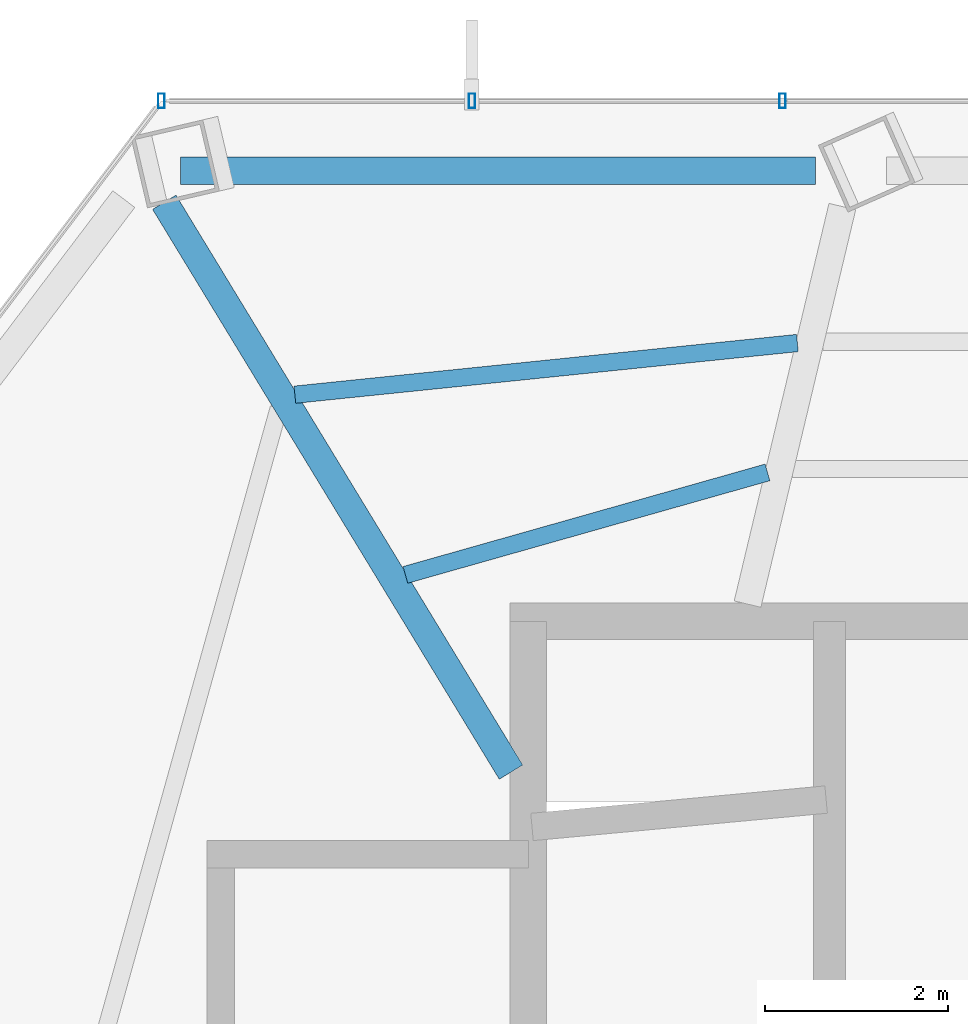
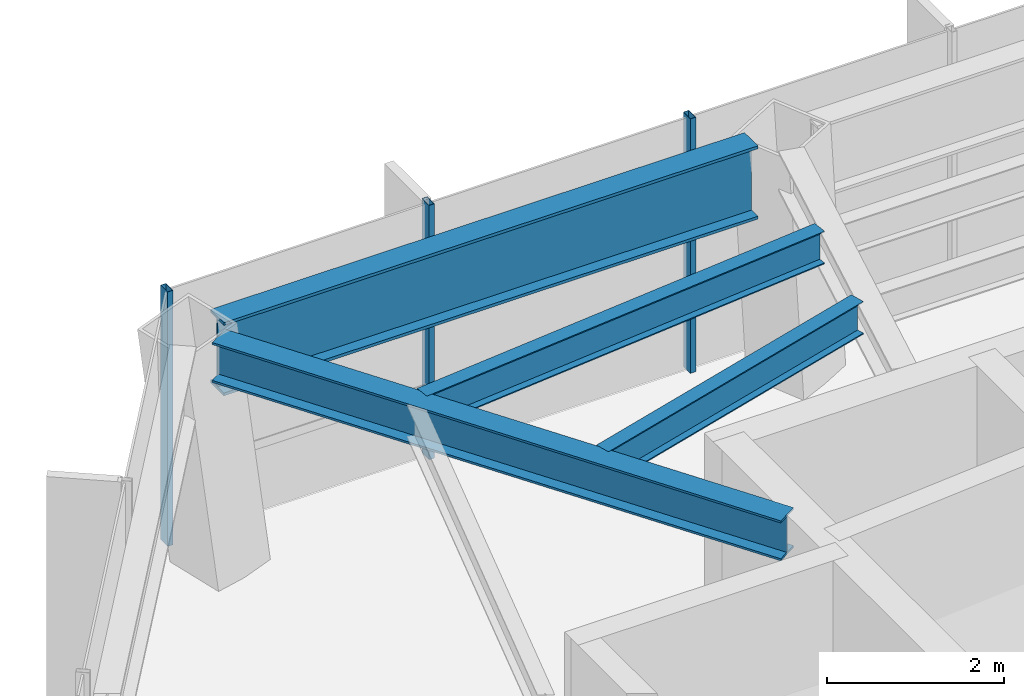
# One storey, part 13 of 29: 4 beams, 3 members, 1 element without a shape of its own.
"""IFC4 building model written with IfcOpenShell, lengths in metres."""

from ifc_helpers import new_model, si_unit, direction, frame, origin, origin_2d, place, context, subcontext, project, spatial, hollow_rectangle, i_section, extrude, material, layer, layer_set, material_profile, profile_set, type_object, element, aggregate, save


model = new_model("IFC4")

# Units and contexts
model_context = context("Model", 3, precision=1e-05, world=origin(), true_north=direction((0.0, 1.0)))
body_context = subcontext(model_context, "Body", "Model", "MODEL_VIEW")
ifc_project = project(units=[si_unit("LENGTHUNIT", "METRE"), si_unit("AREAUNIT", "SQUARE_METRE"), si_unit("VOLUMEUNIT", "CUBIC_METRE"), si_unit("PLANEANGLEUNIT", "RADIAN"), si_unit("MASSUNIT", "GRAM", prefix="KILO")], contexts=[model_context])

# Site, building, storey
site_placement = place(None, origin())
site = spatial("IfcSite", under=ifc_project, at=site_placement, CompositionType="ELEMENT")
building_placement = place(site_placement, origin())
building = spatial("IfcBuilding", under=site, at=building_placement, Name="Zarrinselat Tower", CompositionType="ELEMENT")
storey_placement = place(building_placement, frame((0.0, 0.0, 142.1201171875)))
storey = spatial("IfcBuildingStorey", under=building, at=storey_placement, Name="L34", CompositionType="ELEMENT", Elevation=142.1201171875)

# Beams
ifc_material_1 = material(Name="Steel S355J2", Category="steel")
ifc_material_profile_1 = material_profile(ifc_material_1, i_section(OverallWidth=0.300048828125, OverallDepth=0.550048828125, WebThickness=0.014892578125, FlangeThickness=0.029052734375, at=origin_2d()), Name="HEB 550")
ifc_profile_set_1 = profile_set([ifc_material_profile_1], Name="Steel S355J2")
beam_type_1 = type_object("IfcBeamType", Name="BM-HEB550", PredefinedType="BEAM", material=ifc_profile_set_1)
beam_1_placement = place(storey_placement, frame((24.61376953125, 48.039794921875, 3.224853515625), z_axis=(0.519750753413, -0.85431794686, 0.0), x_axis=(0.85431794686, 0.519750753413, 0.0)))
element("IfcBeam", 1, at=beam_1_placement, inside=storey, type_object=beam_type_1, Name="L34 Radial Primary Girder RG05", PredefinedType="BEAM", context=body_context, shape_type="SweptSolid", body=[
    extrude(i_section(OverallWidth=0.300048828125, OverallDepth=0.550048828125, WebThickness=0.014892578125, FlangeThickness=0.029052734375, at=origin_2d()), origin(), (0.0, 0.0, 1.0), 7.3037109375),
])
ifc_material_2 = material(Name="Steel S460M", Category="steel")
ifc_material_profile_2 = material_profile(ifc_material_2, i_section(OverallWidth=0.302001953125, OverallDepth=1.008056640625, WebThickness=0.02099609375, FlangeThickness=0.0400390625, at=origin_2d()), Name="HEM 1000")
ifc_profile_set_2 = profile_set([ifc_material_profile_2], Name="Steel S460M")
beam_type_2 = type_object("IfcBeamType", Name="BM-HEM1000", PredefinedType="BEAM", material=ifc_profile_set_2)
beam_2_placement = place(storey_placement, frame((24.792724609375, 48.38330078125, 2.995849609375), z_axis=(1.0, 0.0, 0.0), x_axis=(0.0, 1.0, 0.0)))
element("IfcBeam", 2, at=beam_2_placement, inside=storey, type_object=beam_type_2, Name="L34 Perimeter Spandrel Girder SP04", PredefinedType="BEAM", context=body_context, shape_type="SweptSolid", body=[
    extrude(i_section(OverallWidth=0.302001953125, OverallDepth=1.008056640625, WebThickness=0.02099609375, FlangeThickness=0.0400390625, at=origin_2d()), origin(), (0.0, 0.0, 1.0), 6.9501953125),
])
ifc_material_3 = material(Name="Steel S355J2", Category="steel")
ifc_material_profile_3 = material_profile(ifc_material_3, i_section(OverallWidth=0.18994140625, OverallDepth=0.449951171875, WebThickness=0.009521484375, FlangeThickness=0.0146484375, at=origin_2d()), Name="IPE 450")
ifc_profile_set_3 = profile_set([ifc_material_profile_3], Name="Steel S355J2")
beam_type_3 = type_object("IfcBeamType", Name="BM-IPE450", PredefinedType="JOIST", material=ifc_profile_set_3)
beam_3_placement = place(storey_placement, frame((26.043701171875, 45.9326171875, 3.27490234375), z_axis=(0.99475625072, 0.10227414949, 0.0), x_axis=(-0.10227414949, 0.99475625072, 0.0)))
element("IfcBeam", 3, at=beam_3_placement, inside=storey, type_object=beam_type_3, Name="L34 Composite Floor Joist 9-1", PredefinedType="JOIST", context=body_context, shape_type="SweptSolid", body=[
    extrude(i_section(OverallWidth=0.18994140625, OverallDepth=0.449951171875, WebThickness=0.009521484375, FlangeThickness=0.0146484375, at=origin_2d()), origin(), (0.0, 0.0, 1.0), 5.531005859375),
])
beam_4_placement = place(storey_placement, frame((27.25390625, 43.959716796875, 3.27490234375), z_axis=(0.962196376975, 0.272356626752, 0.0), x_axis=(-0.272356626752, 0.962196376975, 0.0)))
element("IfcBeam", 4, at=beam_4_placement, inside=storey, type_object=beam_type_3, Name="L34 Composite Floor Joist 9-2", PredefinedType="JOIST", context=body_context, shape_type="SweptSolid", body=[
    extrude(i_section(OverallWidth=0.18994140625, OverallDepth=0.449951171875, WebThickness=0.009521484375, FlangeThickness=0.0146484375, at=origin_2d()), origin(), (0.0, 0.0, 1.0), 4.119873046875),
])

# Curtain wall, members
ifc_material_4 = material(Name="Extruded Aluminium Alloy EN AW-6063 T6", Category="aluminium")
ifc_layer = layer(ifc_material_4, 0.175048828125)
ifc_layer_set = layer_set([ifc_layer], Name="Extruded Aluminium Alloy EN AW-6063 T6")
curtain_wall_type = type_object("IfcCurtainWallType", Name="CWS-HTL", PredefinedType="NOTDEFINED", material=ifc_layer_set)
curtain_wall_placement = place(storey_placement, origin())
curtain_wall = element("IfcCurtainWall", 5, at=curtain_wall_placement, inside=storey, type_object=curtain_wall_type, Name="L34 Unitised Curtain Wall CW-L34-E01", PredefinedType="NOTDEFINED")
ifc_material_5 = material(Name="Extruded Aluminium Alloy EN AW-6063 T6", Category="aluminium")
ifc_material_profile_4 = material_profile(ifc_material_5, hollow_rectangle(XDim=0.070068359375, YDim=0.159912109375, WallThickness=0.00390625, at=origin_2d()), Name="RHS 160x70x4")
ifc_profile_set_4 = profile_set([ifc_material_profile_4], Name="Extruded Aluminium Alloy EN AW-6063 T6")
member_type = type_object("IfcMemberType", Name="MEM-CW-MUL2", PredefinedType="MULLION", material=ifc_profile_set_4)
member_1_placement = place(storey_placement, frame((31.3828125, 49.14990234375, 0.0), z_axis=(0.0, 0.0, 1.0), x_axis=(-1.0, 0.0, 0.0)))
member_1 = element("IfcMember", 6, at=member_1_placement, type_object=member_type, Name="CW-L34-E01 Mullion 8", PredefinedType="MULLION", context=body_context, shape_type="SweptSolid", body=[
    extrude(hollow_rectangle(XDim=0.070068359375, YDim=0.159912109375, WallThickness=0.00390625, at=origin_2d()), origin(), (0.0, 0.0, 1.0), 3.5),
])
member_2_placement = place(storey_placement, frame((27.982177734375, 49.14990234375, 0.0), z_axis=(0.0, 0.0, 1.0), x_axis=(-1.0, 0.0, 0.0)))
member_2 = element("IfcMember", 7, at=member_2_placement, type_object=member_type, Name="CW-L34-E01 Mullion 9", PredefinedType="MULLION", context=body_context, shape_type="SweptSolid", body=[
    extrude(hollow_rectangle(XDim=0.070068359375, YDim=0.159912109375, WallThickness=0.00390625, at=origin_2d()), origin(), (0.0, 0.0, 1.0), 3.5),
])
member_3_placement = place(storey_placement, frame((24.581298828125, 49.14990234375, 0.0), z_axis=(0.0, 0.0, 1.0), x_axis=(-1.0, 0.0, 0.0)))
member_3 = element("IfcMember", 8, at=member_3_placement, type_object=member_type, Name="CW-L34-E01 Mullion 10", PredefinedType="MULLION", context=body_context, shape_type="SweptSolid", body=[
    extrude(hollow_rectangle(XDim=0.070068359375, YDim=0.159912109375, WallThickness=0.00390625, at=origin_2d()), origin(), (0.0, 0.0, 1.0), 3.5),
])
aggregate(curtain_wall, [member_1, member_2, member_3])

save(model, "model.ifc")
